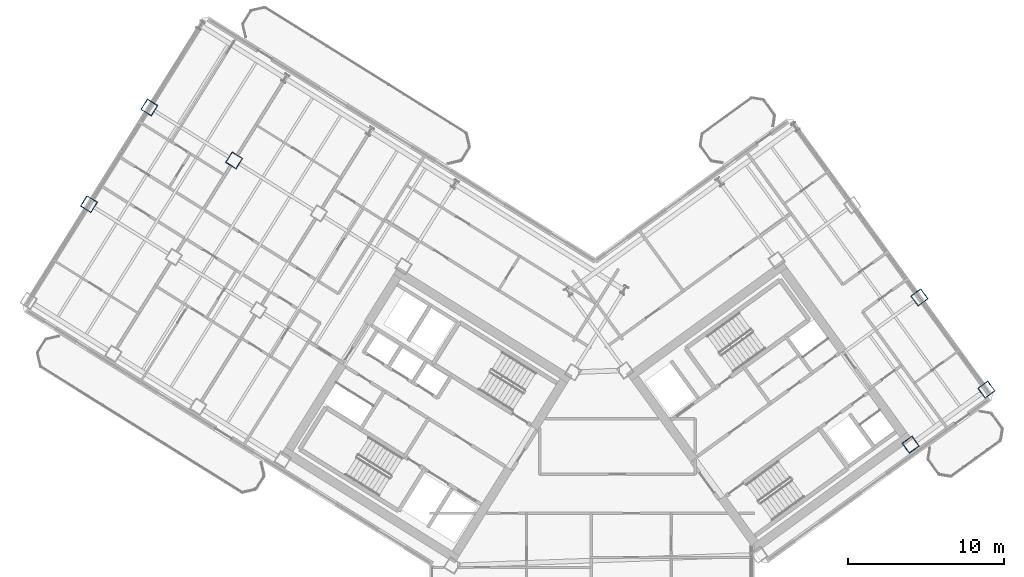
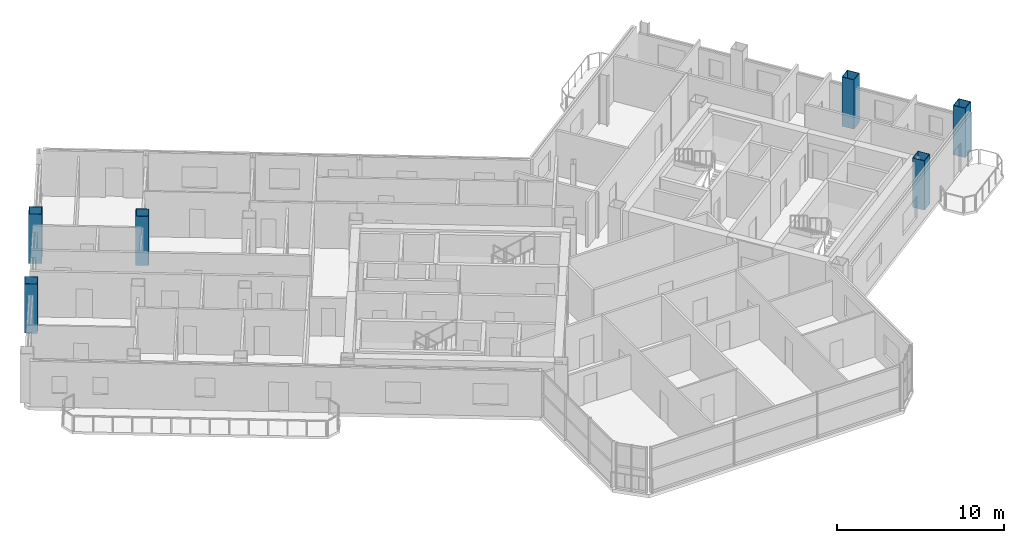
# One storey, part 2 of 21: 6 columns.
"""IFC4 building model written with IfcOpenShell, lengths in metres."""

from ifc_helpers import new_model, si_unit, direction, frame, origin, origin_2d, place, context, subcontext, project, spatial, hollow_rectangle, extrude, source, transform, mapped, material, material_profile, profile_set, type_object, element, save


model = new_model("IFC4")

# Units and contexts
model_context = context("Model", 3, precision=1e-05, world=origin(), true_north=direction((0.0, 1.0)))
body_context = subcontext(model_context, "Body", "Model", "MODEL_VIEW")
ifc_project = project(units=[si_unit("LENGTHUNIT", "METRE"), si_unit("AREAUNIT", "SQUARE_METRE"), si_unit("VOLUMEUNIT", "CUBIC_METRE"), si_unit("PLANEANGLEUNIT", "RADIAN"), si_unit("MASSUNIT", "GRAM", prefix="KILO")], contexts=[model_context])

# Site, building, storey
site_placement = place(None, origin())
site = spatial("IfcSite", under=ifc_project, at=site_placement, CompositionType="ELEMENT")
building_placement = place(site_placement, origin())
building = spatial("IfcBuilding", under=site, at=building_placement, Name="Tlacorven Tower", CompositionType="ELEMENT")
storey_placement = place(building_placement, frame((0.0, 0.0, 191.39990234375)))
storey = spatial("IfcBuildingStorey", under=building, at=storey_placement, Name="L48", CompositionType="ELEMENT", Elevation=191.39990234375)

# Columns
ifc_material = material(Name="Steel S460M", Category="steel")
ifc_material_profile = material_profile(ifc_material, hollow_rectangle(XDim=0.800048828125, YDim=0.800048828125, WallThickness=0.031982421875, at=origin_2d()), Name="BOX 800X800X32")
ifc_profile_set = profile_set([ifc_material_profile], Name="Steel S460M")
column_type = type_object("IfcColumnType", Name="COL-TWR-S3", PredefinedType="COLUMN", material=ifc_profile_set)
shared_shape = source(origin(), body_context, "Body", "SweptSolid", [
    extrude(hollow_rectangle(XDim=0.800048828125, YDim=0.800048828125, WallThickness=0.031982421875, at=origin_2d()), origin(), (0.0, 0.0, 1.0), 3.60009765625),
])
for number, where, z_axis, x_axis, name in (
    (1, (19.072998046875, 38.034423828125, 0.0), (0.0, 0.0, 1.0), (-0.848048096156, 0.529919264233, 0.0), "L48 column COL-L48-W5-2"),
    (2, (13.6455078125, 41.42578125, 0.0), (0.0, 0.0, 1.0), (-0.848048096156, 0.529919264233, 0.0), "L48 column COL-L48-W6-2"),
    (3, (9.777099609375, 35.235107421875, 0.0), (0.0, 0.0, 1.0), (-0.848048096156, 0.529919264233, 0.0), "L48 column COL-L48-W6-3"),
    (4, (62.41357421875, 19.826904296875, 0.0), (0.0, 0.0, 1.0), (0.809016994375, 0.587785252292, 0.0), "L48 column COL-L48-E3-1"),
    (5, (67.267822265625, 23.353515625, 0.0), (0.0, 0.0, 1.0), (0.809016994375, 0.587785252292, 0.0), "L48 column COL-L48-E4-1"),
    (6, (62.976806640625, 29.25927734375, 0.0), (0.0, 0.0, 1.0), (0.809016994375, 0.587785252292, 0.0), "L48 column COL-L48-E4-2"),
):
    element("IfcColumn", number, at=place(storey_placement, frame(where, z_axis=z_axis, x_axis=x_axis)), inside=storey, type_object=column_type, Name=name, PredefinedType="COLUMN", context=body_context, shape_type="MappedRepresentation", body=[
        mapped(shared_shape, transform((0.0, 0.0, 0.0), scale=1.0)),
    ])

save(model, "model.ifc")
